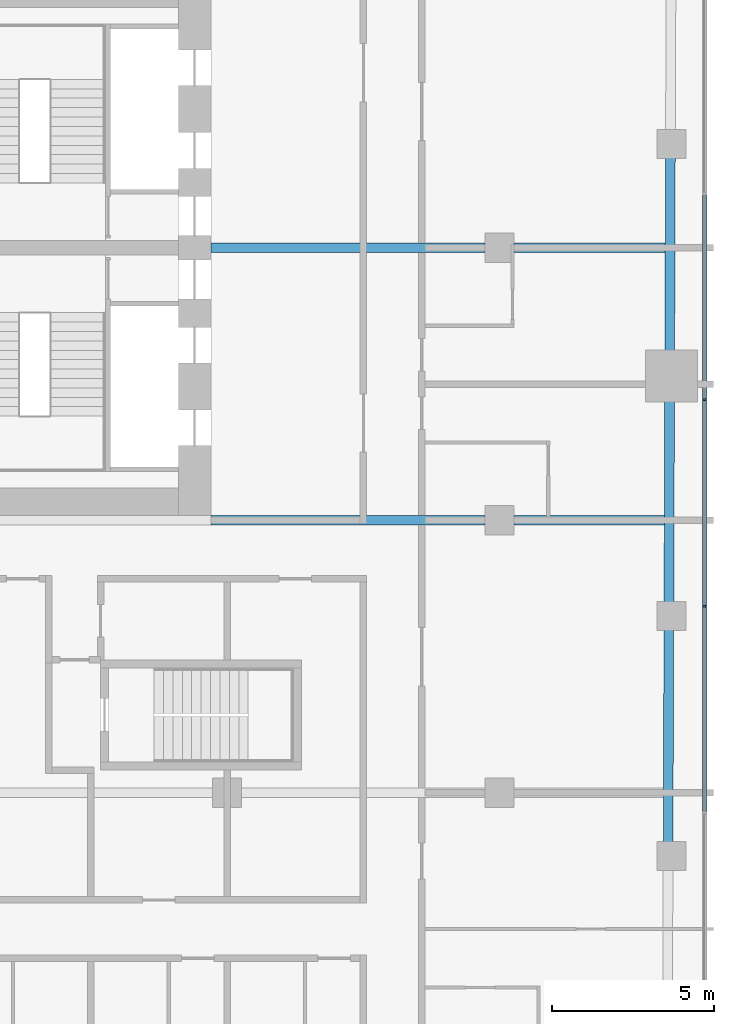
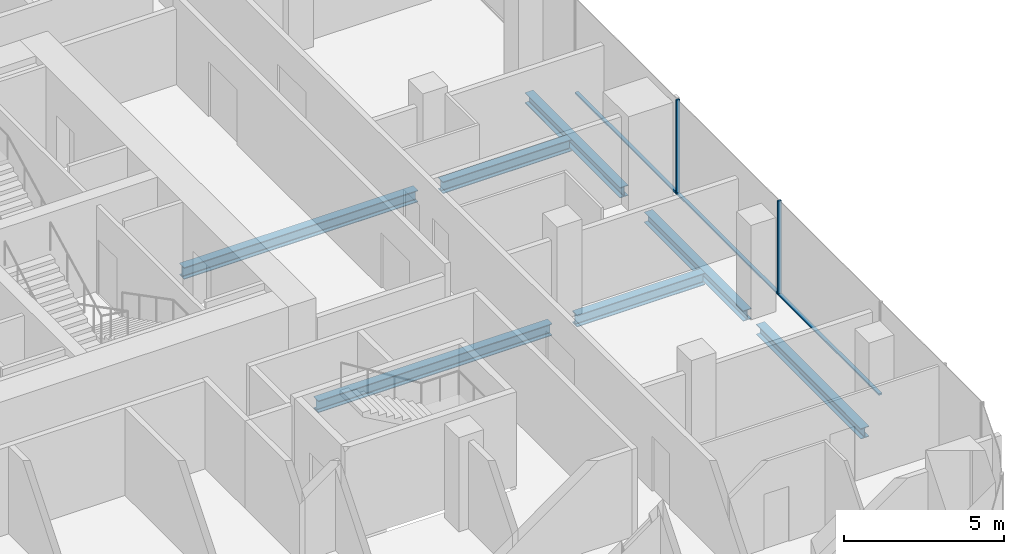
# One storey, part 7 of 23: 7 beams, 5 members, 1 element without a shape of its own.
"""IFC4 building model written with IfcOpenShell, lengths in metres."""

import ifcopenshell
import ifcopenshell.guid

model = None  # the IFC model being written
_history = None  # IfcOwnerHistory: only IFC2X3 demands one
_inside = {}  # id of a spatial element -> (the spatial element, [elements in it])
_under = {}  # id of a project, library or spatial element -> (it, [spatial elements below it])
_declared = {}  # id of a project -> (the project, [libraries it declares])
_typed = {}  # id of a type object -> (the type object, [elements of that type])
_made_of = {}  # id of a material, layer set ... -> (it, [elements and type objects made of it])


def new_model(schema):
    """Start an empty IFC model of exactly this schema.

    Asked for "IFC4X3", IfcOpenShell would pick the latest addendum, in which some entities
    have other attributes; the version numbers below select the first issue.
    IFC2X3 requires an IfcOwnerHistory on every rooted entity: one is made here for all.
    """
    global model, _history
    if schema == "IFC4X3":
        model = ifcopenshell.file(schema_version=(4, 3, 0, 0))
    else:
        model = ifcopenshell.file(schema=schema)
    _inside.clear()
    _under.clear()
    _declared.clear()
    _typed.clear()
    _made_of.clear()
    _history = None
    if model.schema == "IFC2X3":
        org = make("IfcOrganization", Name="unknown")
        user = make(
            "IfcPersonAndOrganization",
            ThePerson=make("IfcPerson", FamilyName="unknown"),
            TheOrganization=org,
        )
        app = make(
            "IfcApplication",
            ApplicationDeveloper=org,
            Version="unknown",
            ApplicationFullName="unknown",
            ApplicationIdentifier="unknown",
        )
        _history = make(
            "IfcOwnerHistory",
            OwningUser=user,
            OwningApplication=app,
            ChangeAction="ADDED",
            CreationDate=0,
        )
    return model


def make(cls, **values):
    """One entity of the class cls with the attributes given. An attribute that is None is left unset."""
    return model.create_entity(
        cls, **{name: value for name, value in values.items() if value is not None}
    )


def rooted(cls, **values):
    """An entity with a GlobalId (a new one), such as an element, a storey or a relation."""
    return make(cls, GlobalId=ifcopenshell.guid.new(), OwnerHistory=_history, **values)


def si_unit(unit_type, name, prefix=None):
    """IfcSIUnit, for example si_unit("LENGTHUNIT", "METRE", prefix="MILLI")."""
    return make("IfcSIUnit", UnitType=unit_type, Prefix=prefix, Name=name)


def assignment(units):
    """IfcUnitAssignment: the units of a project."""
    return None if units is None else make("IfcUnitAssignment", Units=units)


def point(xyz):
    """IfcCartesianPoint."""
    return None if xyz is None else make("IfcCartesianPoint", Coordinates=xyz)


def direction(xyz):
    """IfcDirection."""
    return None if xyz is None else make("IfcDirection", DirectionRatios=xyz)


def frame(location, z_axis=None, x_axis=None):
    """IfcAxis2Placement3D, a coordinate frame: its origin and axes. An axis left out is left unset."""
    return make(
        "IfcAxis2Placement3D",
        Location=point(location),
        Axis=direction(z_axis),
        RefDirection=direction(x_axis),
    )


def frame_2d(location, x_axis=None):
    """IfcAxis2Placement2D, a coordinate frame in the plane: its origin and x axis."""
    return make(
        "IfcAxis2Placement2D", Location=point(location), RefDirection=direction(x_axis)
    )


def origin():
    """The frame at (0, 0, 0) with its axes left unset."""
    return frame((0.0, 0.0, 0.0))


def origin_2d():
    """The frame at (0, 0) in the plane with its x axis left unset."""
    return frame_2d((0.0, 0.0))


def place(relative_to, where):
    """IfcLocalPlacement: puts the frame where relative to a parent placement (None: the world)."""
    return make(
        "IfcLocalPlacement", PlacementRelTo=relative_to, RelativePlacement=where
    )


def context(
    kind, dimensions, precision=None, world=None, true_north=None, identifier=None
):
    """IfcGeometricRepresentationContext, for example the 3D "Model" context."""
    return make(
        "IfcGeometricRepresentationContext",
        ContextIdentifier=identifier,
        ContextType=kind,
        CoordinateSpaceDimension=dimensions,
        Precision=precision,
        WorldCoordinateSystem=world,
        TrueNorth=true_north,
    )


def subcontext(parent, identifier, kind, view, scale=None):
    """IfcGeometricRepresentationSubContext, for example "Body" below "Model"."""
    return make(
        "IfcGeometricRepresentationSubContext",
        ContextIdentifier=identifier,
        ContextType=kind,
        ParentContext=parent,
        TargetScale=scale,
        TargetView=view,
    )


def project(units=None, contexts=None):
    """IfcProject with its units and contexts."""
    return rooted(
        "IfcProject",
        Name="project",
        RepresentationContexts=contexts,
        UnitsInContext=assignment(units),
    )


def spatial(cls, under=None, at=None, **own):
    """A site, building, storey or space (cls), placed at a placement, below another one or the project."""
    s = rooted(cls, ObjectPlacement=at, **own)
    if under is not None:
        _under.setdefault(under.id(), (under, []))[1].append(s)
    return s


def profile(cls, at=None, kind="AREA", **sizes):
    """A parametric profile (cls). Its sizes go by their IFC names, for example OverallWidth=200.0."""
    return make(cls, ProfileType=kind, Position=at, **sizes)


def rectangle(**sizes):
    """IfcRectangleProfileDef."""
    return profile("IfcRectangleProfileDef", **sizes)


def i_section(**sizes):
    """IfcIShapeProfileDef."""
    return profile("IfcIShapeProfileDef", **sizes)


def extrude(swept, where, along, depth):
    """IfcExtrudedAreaSolid: the profile swept, set in the frame where, extruded along a direction by depth."""
    return make(
        "IfcExtrudedAreaSolid",
        SweptArea=swept,
        Position=where,
        ExtrudedDirection=direction(along),
        Depth=depth,
    )


def shape(context_of_items, identifier, shape_type, items):
    """IfcShapeRepresentation: the items that make up one representation, for example the "Body"."""
    return make(
        "IfcShapeRepresentation",
        ContextOfItems=context_of_items,
        RepresentationIdentifier=identifier,
        RepresentationType=shape_type,
        Items=items,
    )


def material(Name=None, Category=None):
    """IfcMaterial."""
    return make("IfcMaterial", Name=Name, Category=Category)


def layer(
    of_material, thickness, ventilated=None, Name=None, Category=None, Priority=None
):
    """IfcMaterialLayer: one layer of a wall or slab, of a material (None: an air gap)."""
    return make(
        "IfcMaterialLayer",
        Material=of_material,
        LayerThickness=thickness,
        IsVentilated=ventilated,
        Name=Name,
        Category=Category,
        Priority=Priority,
    )


def layer_set(layers, Name=None):
    """IfcMaterialLayerSet."""
    return make("IfcMaterialLayerSet", MaterialLayers=layers, LayerSetName=Name)


def material_profile(
    of_material, cross_section, Name=None, Category=None, Priority=None
):
    """IfcMaterialProfile: a cross section and its material."""
    return make(
        "IfcMaterialProfile",
        Name=Name,
        Material=of_material,
        Profile=cross_section,
        Priority=Priority,
        Category=Category,
    )


def profile_set(profiles, Name=None, composite=None):
    """IfcMaterialProfileSet."""
    return make(
        "IfcMaterialProfileSet",
        Name=Name,
        MaterialProfiles=profiles,
        CompositeProfile=composite,
    )


def made_of(thing, what):
    """Note that an element or type object is made of a material, layer set ...; save() writes the relation."""
    if what is not None:
        _made_of.setdefault(what.id(), (what, []))[1].append(thing)
    return thing


def type_object(cls, material=None, **own):
    """A type object (cls), such as IfcWallType, which elements share."""
    return made_of(rooted(cls, **own), material)


def element(
    cls,
    number,
    at=None,
    inside=None,
    cuts=None,
    type_object=None,
    material=None,
    context=None,
    identifier="Body",
    shape_type=None,
    held_by="IfcProductDefinitionShape",
    body=None,
    shapes=None,
    **own,
):
    """One element of the class cls, such as IfcWall. Its Tag is "e" and its number.

    at: its placement. inside: the storey or other place that contains it. cuts: it is an
    opening in that element (IfcRelVoidsElement). A single representation is given by context,
    identifier, shape_type and body (its items); several are given by shapes. held_by: the class
    of the entity that holds the representations. save() writes the other relations.
    """
    e = rooted(cls, Tag="e%d" % number, ObjectPlacement=at, **own)
    if body is not None:
        shapes = [shape(context, identifier, shape_type, body)]
    if shapes is not None:
        e.Representation = make(held_by, Representations=shapes)
    if inside is not None:
        _inside.setdefault(inside.id(), (inside, []))[1].append(e)
    if cuts is not None:
        rooted(
            "IfcRelVoidsElement", RelatingBuildingElement=cuts, RelatedOpeningElement=e
        )
    if type_object is not None:
        _typed.setdefault(type_object.id(), (type_object, []))[1].append(e)
    return made_of(e, material)


def aggregate(whole, parts):
    """IfcRelAggregates: a whole, such as a stair, and the parts it consists of."""
    return rooted("IfcRelAggregates", RelatingObject=whole, RelatedObjects=parts)


def save(model, path):
    """Write the relations noted so far, then the file.

    IfcRelAggregates (storeys below a building ...), IfcRelContainedInSpatialStructure (elements
    in a storey), IfcRelDefinesByType, IfcRelAssociatesMaterial and IfcRelDeclares: one each for
    every whole, place, type object, material and project.
    """
    for whole, parts in _under.values():
        aggregate(whole, parts)
    for where, things in _inside.values():
        rooted(
            "IfcRelContainedInSpatialStructure",
            RelatedElements=things,
            RelatingStructure=where,
        )
    for kind, things in _typed.values():
        rooted("IfcRelDefinesByType", RelatedObjects=things, RelatingType=kind)
    for what, things in _made_of.values():
        rooted("IfcRelAssociatesMaterial", RelatedObjects=things, RelatingMaterial=what)
    for by, libraries in _declared.values():
        rooted("IfcRelDeclares", RelatingContext=by, RelatedDefinitions=libraries)
    model.write(path)


model = new_model("IFC4")

# Units and contexts
model_context = context("Model", 3, precision=1e-05, world=origin(), true_north=direction((0.0, 1.0)))
body_context = subcontext(model_context, "Body", "Model", "MODEL_VIEW")
ifc_project = project(units=[si_unit("LENGTHUNIT", "METRE"), si_unit("AREAUNIT", "SQUARE_METRE"), si_unit("VOLUMEUNIT", "CUBIC_METRE"), si_unit("PLANEANGLEUNIT", "RADIAN"), si_unit("MASSUNIT", "GRAM", prefix="KILO")], contexts=[model_context])

# Site, building, storey
site_placement = place(None, origin())
site = spatial("IfcSite", under=ifc_project, at=site_placement, CompositionType="ELEMENT")
building_placement = place(site_placement, origin())
building = spatial("IfcBuilding", under=site, at=building_placement, Name="Marenta Gate Hotel Tower", CompositionType="ELEMENT")
storey_placement = place(building_placement, frame((0.0, 0.0, 155.300048828125)))
storey = spatial("IfcBuildingStorey", under=building, at=storey_placement, Name="L36", CompositionType="ELEMENT", Elevation=155.300048828125)

# Beams
ifc_material_1 = material(Name="Steel S355", Category="steel")
ifc_material_profile_1 = material_profile(ifc_material_1, i_section(OverallWidth=0.300048828125, OverallDepth=0.39990234375, WebThickness=0.013427734375, FlangeThickness=0.02392578125, FilletRadius=0.027099609375, at=origin_2d()), Name="HEB 400")
ifc_profile_set_1 = profile_set([ifc_material_profile_1], Name="Steel S355")
beam_type_1 = type_object("IfcBeamType", Name="Edge beam HEB 400", PredefinedType="SPANDREL", material=ifc_profile_set_1)
beam_1_placement = place(storey_placement, frame((26.26416015625, 11.193115234375, -0.4599609375), z_axis=(-0.003305160059, -0.999994537944, 0.0), x_axis=(0.999994537944, -0.003305160059, 0.0)))
element("IfcBeam", 1, at=beam_1_placement, inside=storey, type_object=beam_type_1, Name="L36-EB-24", PredefinedType="SPANDREL", context=body_context, shape_type="SweptSolid", body=[
    extrude(i_section(OverallWidth=0.300048828125, OverallDepth=0.39990234375, WebThickness=0.013427734375, FlangeThickness=0.02392578125, FilletRadius=0.027099609375, at=origin_2d()), origin(), (0.0, 0.0, 1.0), 5.983154296875),
])
beam_2_placement = place(storey_placement, frame((26.2392578125, 3.68994140625, -0.4599609375), z_axis=(-0.003330441525, -0.999994454064, 0.0), x_axis=(0.999994454064, -0.003330441525, 0.0)))
element("IfcBeam", 2, at=beam_2_placement, inside=storey, type_object=beam_type_1, Name="L36-EB-25", PredefinedType="SPANDREL", context=body_context, shape_type="SweptSolid", body=[
    extrude(i_section(OverallWidth=0.300048828125, OverallDepth=0.39990234375, WebThickness=0.013427734375, FlangeThickness=0.02392578125, FilletRadius=0.027099609375, at=origin_2d()), origin(), (0.0, 0.0, 1.0), 6.23095703125),
])
beam_3_placement = place(storey_placement, frame((26.2158203125, -3.36083984375, -0.4599609375), z_axis=(-0.00333875569, -0.99999442634, 0.0), x_axis=(0.99999442634, -0.00333875569, 0.0)))
element("IfcBeam", 3, at=beam_3_placement, inside=storey, type_object=beam_type_1, Name="L36-EB-26", PredefinedType="SPANDREL", context=body_context, shape_type="SweptSolid", body=[
    extrude(i_section(OverallWidth=0.300048828125, OverallDepth=0.39990234375, WebThickness=0.013427734375, FlangeThickness=0.02392578125, FilletRadius=0.027099609375, at=origin_2d()), origin(), (0.0, 0.0, 1.0), 6.5810546875),
])
ifc_material_2 = material(Name="Steel S355", Category="steel")
ifc_material_profile_2 = material_profile(ifc_material_2, i_section(OverallWidth=0.300048828125, OverallDepth=0.449951171875, WebThickness=0.013916015625, FlangeThickness=0.02587890625, FilletRadius=0.027099609375, at=origin_2d()), Name="HEB 450")
ifc_profile_set_2 = profile_set([ifc_material_profile_2], Name="Steel S355")
beam_type_2 = type_object("IfcBeamType", Name="Girder HEB 450", PredefinedType="BEAM", material=ifc_profile_set_2)
beam_4_placement = place(storey_placement, frame((12.10009765625, 0.0, -0.485107421875), z_axis=(1.0, 0.0, 0.0), x_axis=(0.0, 1.0, 0.0)))
element("IfcBeam", 4, at=beam_4_placement, inside=storey, type_object=beam_type_2, Name="L36-GD-18", PredefinedType="BEAM", context=body_context, shape_type="SweptSolid", body=[
    extrude(i_section(OverallWidth=0.300048828125, OverallDepth=0.449951171875, WebThickness=0.013916015625, FlangeThickness=0.02587890625, FilletRadius=0.027099609375, at=origin_2d()), origin(), (0.0, 0.0, 1.0), 8.449951171875),
])
beam_5_placement = place(storey_placement, frame((21.449951171875, 0.0, -0.485107421875), z_axis=(1.0, 0.0, 0.0), x_axis=(0.0, 1.0, 0.0)))
element("IfcBeam", 5, at=beam_5_placement, inside=storey, type_object=beam_type_2, Name="L36-GD-19", PredefinedType="BEAM", context=body_context, shape_type="SweptSolid", body=[
    extrude(i_section(OverallWidth=0.300048828125, OverallDepth=0.449951171875, WebThickness=0.013916015625, FlangeThickness=0.02587890625, FilletRadius=0.027099609375, at=origin_2d()), origin(), (0.0, 0.0, 1.0), 4.626953125),
])
beam_6_placement = place(storey_placement, frame((12.10009765625, 8.39990234375, -0.485107421875), z_axis=(1.0, 0.0, 0.0), x_axis=(0.0, 1.0, 0.0)))
element("IfcBeam", 6, at=beam_6_placement, inside=storey, type_object=beam_type_2, Name="L36-GD-22", PredefinedType="BEAM", context=body_context, shape_type="SweptSolid", body=[
    extrude(i_section(OverallWidth=0.300048828125, OverallDepth=0.449951171875, WebThickness=0.013916015625, FlangeThickness=0.02587890625, FilletRadius=0.027099609375, at=origin_2d()), origin(), (0.0, 0.0, 1.0), 8.449951171875),
])
beam_7_placement = place(storey_placement, frame((21.449951171875, 8.39990234375, -0.485107421875), z_axis=(1.0, 0.0, 0.0), x_axis=(0.0, 1.0, 0.0)))
element("IfcBeam", 7, at=beam_7_placement, inside=storey, type_object=beam_type_2, Name="L36-GD-23", PredefinedType="BEAM", context=body_context, shape_type="SweptSolid", body=[
    extrude(i_section(OverallWidth=0.300048828125, OverallDepth=0.449951171875, WebThickness=0.013916015625, FlangeThickness=0.02587890625, FilletRadius=0.027099609375, at=origin_2d()), origin(), (0.0, 0.0, 1.0), 4.655029296875),
])

# Curtain wall, members
ifc_material_3 = material(Name="Tinted insulated glass in bronze anodised frame", Category="glass")
ifc_layer = layer(ifc_material_3, 0.1201171875)
ifc_layer_set = layer_set([ifc_layer], Name="Tinted insulated glass in bronze anodised frame")
curtain_wall_type = type_object("IfcCurtainWallType", Name="Tower unitised curtain wall CW1", PredefinedType="NOTDEFINED", material=ifc_layer_set)
curtain_wall_placement = place(storey_placement, origin())
curtain_wall = element("IfcCurtainWall", 8, at=curtain_wall_placement, inside=storey, type_object=curtain_wall_type, Name="CW1 run G11", PredefinedType="NOTDEFINED")
ifc_material_4 = material(Name="Bronze anodised aluminium", Category="aluminium")
ifc_material_profile_3 = material_profile(ifc_material_4, rectangle(XDim=0.1201171875, YDim=0.06005859375, at=origin_2d()), Name="Mullion CW1 60x120 bronze anodised aluminium")
ifc_profile_set_3 = profile_set([ifc_material_profile_3], Name="Bronze anodised aluminium")
member_type_1 = type_object("IfcMemberType", Name="Mullion CW1 60x120 bronze anodised aluminium", PredefinedType="MULLION", material=ifc_profile_set_3)
member_1_placement = place(storey_placement, frame((27.31396484375, -2.64794921875, 0.0), z_axis=(0.0, 0.0, 1.0), x_axis=(-1.0, 0.0, 0.0)))
member_1 = element("IfcMember", 9, at=member_1_placement, type_object=member_type_1, Name="CW1 mullion 3", PredefinedType="MULLION", context=body_context, shape_type="SweptSolid", body=[
    extrude(rectangle(XDim=0.1201171875, YDim=0.06005859375, at=origin_2d()), origin(), (0.0, 0.0, 1.0), 3.599853515625),
])
member_2_placement = place(storey_placement, frame((27.31396484375, 3.7119140625, 0.0), z_axis=(0.0, 0.0, 1.0), x_axis=(-1.0, 0.0, 0.0)))
member_2 = element("IfcMember", 10, at=member_2_placement, type_object=member_type_1, Name="CW1 mullion 4", PredefinedType="MULLION", context=body_context, shape_type="SweptSolid", body=[
    extrude(rectangle(XDim=0.1201171875, YDim=0.06005859375, at=origin_2d()), origin(), (0.0, 0.0, 1.0), 3.599853515625),
])
ifc_material_5 = material(Name="Bronze anodised aluminium", Category="aluminium")
ifc_material_profile_4 = material_profile(ifc_material_5, rectangle(XDim=0.1201171875, YDim=0.06005859375, at=origin_2d()), Name="Transom CW1 60x120 bronze anodised aluminium")
ifc_profile_set_4 = profile_set([ifc_material_profile_4], Name="Bronze anodised aluminium")
member_type_2 = type_object("IfcMemberType", Name="Transom CW1 60x120 bronze anodised aluminium", PredefinedType="USERDEFINED", material=ifc_profile_set_4)
member_3_placement = place(storey_placement, frame((27.31396484375, -8.97802734375, 0.030029296875), z_axis=(0.0, 1.0, 0.0), x_axis=(-1.0, 0.0, 0.0)))
member_3 = element("IfcMember", 11, at=member_3_placement, type_object=member_type_2, Name="CW1 transom 2.1", ObjectType="TRANSOM", PredefinedType="USERDEFINED", context=body_context, shape_type="SweptSolid", body=[
    extrude(rectangle(XDim=0.1201171875, YDim=0.06005859375, at=origin_2d()), origin(), (0.0, 0.0, 1.0), 6.300048828125),
])
member_4_placement = place(storey_placement, frame((27.31396484375, -2.617919921875, 0.030029296875), z_axis=(0.0, 1.0, 0.0), x_axis=(-1.0, 0.0, 0.0)))
member_4 = element("IfcMember", 12, at=member_4_placement, type_object=member_type_2, Name="CW1 transom 3.1", ObjectType="TRANSOM", PredefinedType="USERDEFINED", context=body_context, shape_type="SweptSolid", body=[
    extrude(rectangle(XDim=0.1201171875, YDim=0.06005859375, at=origin_2d()), origin(), (0.0, 0.0, 1.0), 6.2998046875),
])
member_5_placement = place(storey_placement, frame((27.31396484375, 3.741943359375, 0.030029296875), z_axis=(0.0, 1.0, 0.0), x_axis=(-1.0, 0.0, 0.0)))
member_5 = element("IfcMember", 13, at=member_5_placement, type_object=member_type_2, Name="CW1 transom 4.1", ObjectType="TRANSOM", PredefinedType="USERDEFINED", context=body_context, shape_type="SweptSolid", body=[
    extrude(rectangle(XDim=0.1201171875, YDim=0.06005859375, at=origin_2d()), origin(), (0.0, 0.0, 1.0), 6.300048828125),
])
aggregate(curtain_wall, [member_1, member_2, member_3, member_4, member_5])

save(model, "model.ifc")
